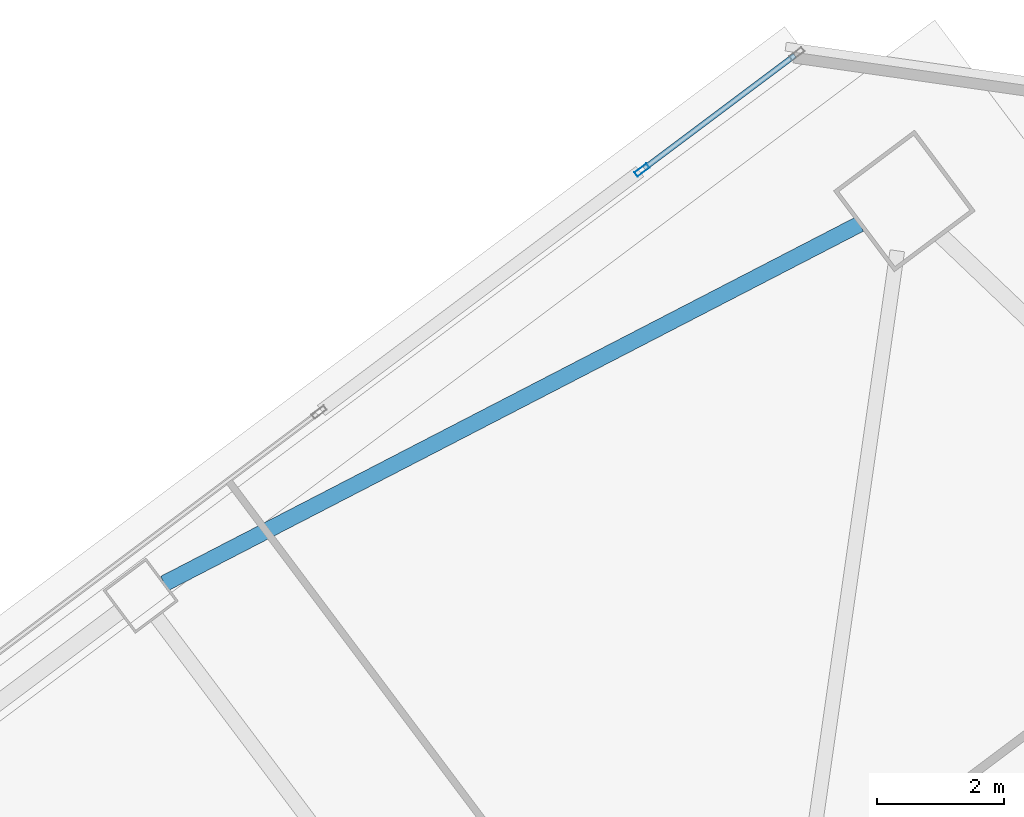
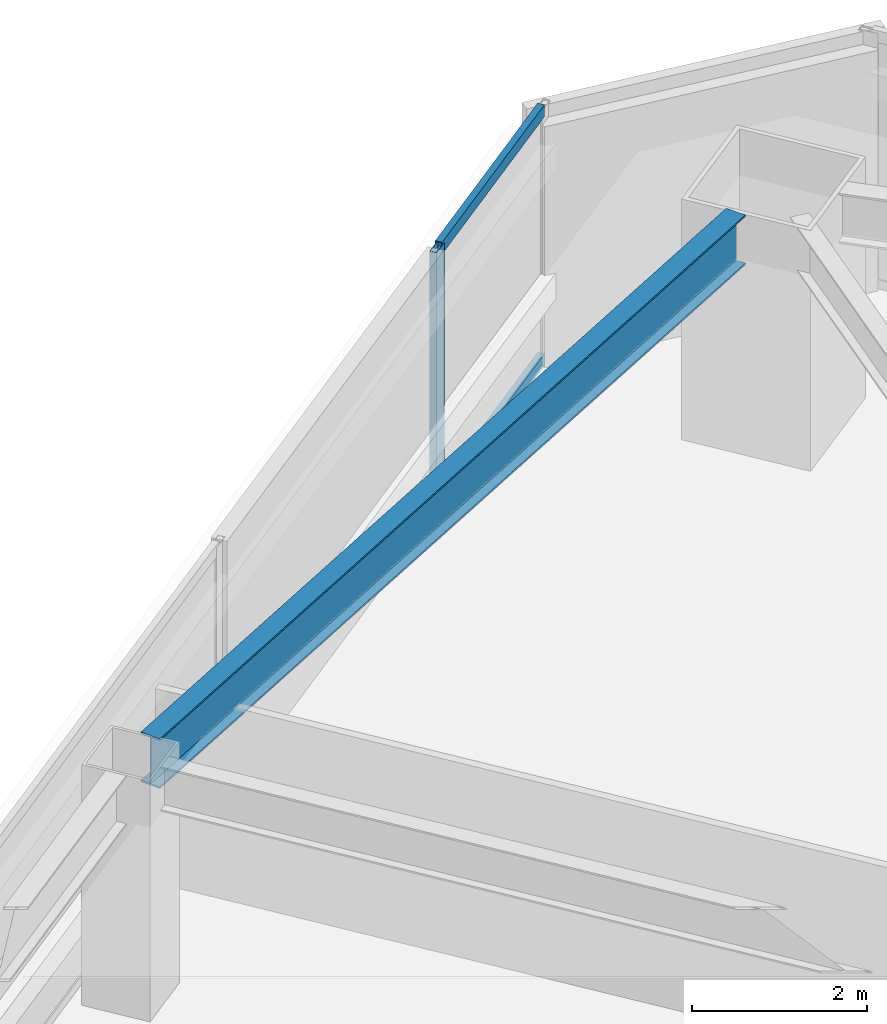
# One storey, part 32 of 48: 3 members, 1 beam, 1 element without a shape of its own.
"""IFC4 building model written with IfcOpenShell, lengths in metres."""

from ifc_helpers import new_model, si_unit, direction, frame, origin, origin_2d, place, context, subcontext, project, spatial, hollow_rectangle, i_section, extrude, material, material_profile, profile_set, type_object, element, aggregate, save


model = new_model("IFC4")

# Units and contexts
model_context = context("Model", 3, precision=1e-05, world=origin(), true_north=direction((0.0, 1.0)))
body_context = subcontext(model_context, "Body", "Model", "MODEL_VIEW")
ifc_project = project(units=[si_unit("LENGTHUNIT", "METRE"), si_unit("AREAUNIT", "SQUARE_METRE"), si_unit("VOLUMEUNIT", "CUBIC_METRE"), si_unit("PLANEANGLEUNIT", "RADIAN"), si_unit("MASSUNIT", "GRAM", prefix="KILO")], contexts=[model_context])

# Site, building, storey
site_placement = place(None, origin())
site = spatial("IfcSite", under=ifc_project, at=site_placement, CompositionType="ELEMENT")
building_placement = place(site_placement, origin())
building = spatial("IfcBuilding", under=site, at=building_placement, Name="Tashvorn Skyway Center", CompositionType="ELEMENT")
storey_placement = place(building_placement, frame((0.0, 0.0, 53.0)))
storey = spatial("IfcBuildingStorey", under=building, at=storey_placement, Name="L13", CompositionType="ELEMENT", Elevation=53.0)

# Beam
ifc_material_1 = material(Name="Steel ASTM A992 Grade 50", Category="steel")
ifc_material_profile_1 = material_profile(ifc_material_1, i_section(OverallWidth=0.256103515625, OverallDepth=0.693115234375, WebThickness=0.014404296875, FlangeThickness=0.023681640625, at=origin_2d()), Name="W27X114")
ifc_profile_set_1 = profile_set([ifc_material_profile_1], Name="Steel ASTM A992 Grade 50")
beam_type = type_object("IfcBeamType", Name="BM-SPANDREL-W27X114", PredefinedType="SPANDREL", material=ifc_profile_set_1)
beam_placement = place(storey_placement, frame((117.0537109375, 57.954833984375, 3.00341796875), z_axis=(-0.888315637339, -0.459233413919, 0.0), x_axis=(0.459233413919, -0.888315637339, 0.0)))
element("IfcBeam", 1, at=beam_placement, inside=storey, type_object=beam_type, Name="Tower 2 L13 Spandrel Beam 07", PredefinedType="SPANDREL", context=body_context, shape_type="SweptSolid", body=[
    extrude(i_section(OverallWidth=0.256103515625, OverallDepth=0.693115234375, WebThickness=0.014404296875, FlangeThickness=0.023681640625, at=origin_2d()), origin(), (0.0, 0.0, 1.0), 12.37255859375),
])

# Curtain wall, members
ifc_material_2 = material(Name="Thermally broken bronze-anodized aluminium 6063-T6", Category="aluminium")
curtain_wall_type = type_object("IfcCurtainWallType", Name="CW-CW-Z1", PredefinedType="NOTDEFINED", material=ifc_material_2)
curtain_wall_placement = place(storey_placement, origin())
curtain_wall = element("IfcCurtainWall", 2, at=curtain_wall_placement, inside=storey, type_object=curtain_wall_type, Name="Tower 2 L13 North Unitised Curtain Wall Glazing Group 3", PredefinedType="NOTDEFINED")
ifc_material_profile_2 = material_profile(ifc_material_2, hollow_rectangle(XDim=0.0849609375, YDim=0.239990234375, WallThickness=0.0048828125, at=origin_2d()), Name="ALU-MULL-85x240")
ifc_profile_set_2 = profile_set([ifc_material_profile_2], Name="Thermally broken bronze-anodized aluminium 6063-T6")
member_type_1 = type_object("IfcMemberType", Name="CWM-CW-Z1", PredefinedType="MULLION", material=ifc_profile_set_2)
member_1_placement = place(storey_placement, frame((113.61279296875, 58.8095703125, 0.0), z_axis=(0.0, 0.0, 1.0), x_axis=(-0.600005084776, 0.799996186392, 0.0)))
member_1 = element("IfcMember", 3, at=member_1_placement, type_object=member_type_1, Name="CW-Z1 mullion 1", PredefinedType="MULLION", context=body_context, shape_type="SweptSolid", body=[
    extrude(hollow_rectangle(XDim=0.0849609375, YDim=0.239990234375, WallThickness=0.0048828125, at=origin_2d()), origin(), (0.0, 0.0, 1.0), 3.550048828125),
])
ifc_material_profile_3 = material_profile(ifc_material_2, hollow_rectangle(XDim=0.0849609375, YDim=0.1650390625, WallThickness=0.0048828125, at=origin_2d()), Name="ALU-TRAN-85x165")
ifc_profile_set_3 = profile_set([ifc_material_profile_3], Name="Thermally broken bronze-anodized aluminium 6063-T6")
member_type_2 = type_object("IfcMemberType", Name="CWT-CW-Z1", PredefinedType="USERDEFINED", material=ifc_profile_set_3)
member_2_placement = place(storey_placement, frame((113.646728515625, 58.8349609375, 0.04248046875), z_axis=(0.799980315822, 0.600026244674, 0.0), x_axis=(-0.600026244674, 0.799980315822, 0.0)))
member_2 = element("IfcMember", 4, at=member_2_placement, type_object=member_type_2, Name="CW-Z1 transom 1.1", ObjectType="TRANSOM", PredefinedType="USERDEFINED", context=body_context, shape_type="SweptSolid", body=[
    extrude(hollow_rectangle(XDim=0.0849609375, YDim=0.1650390625, WallThickness=0.0048828125, at=origin_2d()), origin(), (0.0, 0.0, 1.0), 2.976806640625),
])
member_3_placement = place(storey_placement, frame((113.646728515625, 58.8349609375, 3.507568359375), z_axis=(0.799980315822, 0.600026244674, 0.0), x_axis=(-0.600026244674, 0.799980315822, 0.0)))
member_3 = element("IfcMember", 5, at=member_3_placement, type_object=member_type_2, Name="CW-Z1 transom 1.2", ObjectType="TRANSOM", PredefinedType="USERDEFINED", context=body_context, shape_type="SweptSolid", body=[
    extrude(hollow_rectangle(XDim=0.0849609375, YDim=0.1650390625, WallThickness=0.0048828125, at=origin_2d()), origin(), (0.0, 0.0, 1.0), 2.976806640625),
])
aggregate(curtain_wall, [member_1, member_2, member_3])

save(model, "model.ifc")
